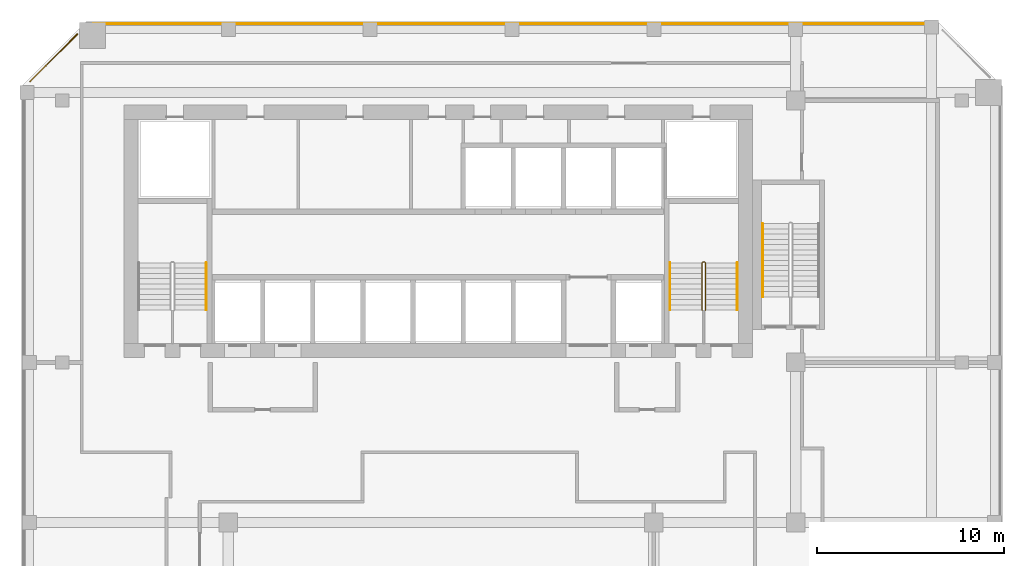
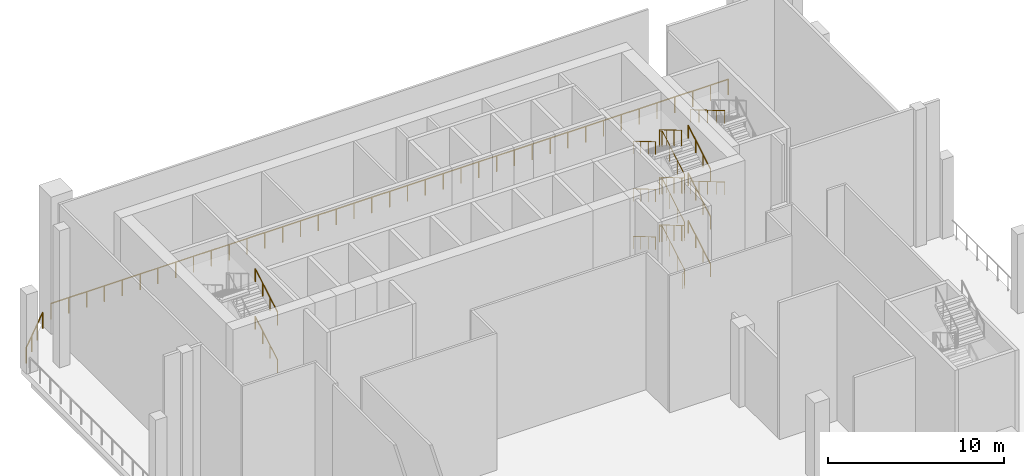
# One storey, part 11 of 12: 13 railings.
"""IFC4 building model written with IfcOpenShell, lengths in metres."""

from ifc_helpers import new_model, si_unit, direction, frame, origin, origin_2d, place, context, subcontext, project, spatial, circle, extrude, material, type_object, element, save


model = new_model("IFC4")

# Units and contexts
model_context = context("Model", 3, precision=1e-05, world=origin(), true_north=direction((0.0, 1.0)))
body_context = subcontext(model_context, "Body", "Model", "MODEL_VIEW")
ifc_project = project(units=[si_unit("LENGTHUNIT", "METRE"), si_unit("AREAUNIT", "SQUARE_METRE"), si_unit("VOLUMEUNIT", "CUBIC_METRE"), si_unit("PLANEANGLEUNIT", "RADIAN"), si_unit("MASSUNIT", "GRAM", prefix="KILO")], contexts=[model_context])

# Site, building, storey
site_placement = place(None, origin())
site = spatial("IfcSite", under=ifc_project, at=site_placement, CompositionType="ELEMENT")
building_placement = place(site_placement, origin())
building = spatial("IfcBuilding", under=site, at=building_placement, Name="Kilnfold Tower and Market Hall", CompositionType="ELEMENT")
storey_placement = place(building_placement, frame((0.0, 0.0, 223.699951171875)))
storey = spatial("IfcBuildingStorey", under=building, at=storey_placement, Name="L55 Refuge Wind Floor", CompositionType="ELEMENT", Elevation=223.699951171875)

# Railings
ifc_material_1 = material(Name="Stainless steel 316", Category="steel")
railing_type_1 = type_object("IfcRailingType", Name="CORE STAIR GUARD 1100", PredefinedType="GUARDRAIL", material=ifc_material_1)
railing_1_placement = place(storey_placement, frame((15.199951171875, 10.75, 0.0)))
element("IfcRailing", 1, at=railing_1_placement, inside=storey, type_object=railing_type_1, Name="L55 Refuge Wind Floor ST2 stair guard 1", PredefinedType="GUARDRAIL", context=body_context, shape_type="SweptSolid", body=[
    extrude(circle(Radius=0.02392578125, at=origin_2d()), frame((0.0, 0.0, 1.076171875), z_axis=(1.0, 0.0, 0.0), x_axis=(0.0, 1.0, 0.0)), (0.0, 0.0, 1.0), 0.10009765625),
    extrude(circle(Radius=0.02392578125, at=origin_2d()), frame((0.10009765625, 0.0, 1.076171875), z_axis=(0.278705021027, 0.278705021027, 0.919046801044), x_axis=(-0.707106781187, 0.707106781187, 0.0)), (0.0, 0.0, 1.0), 0.1796875),
    extrude(circle(Radius=0.02392578125, at=origin_2d()), frame((0.150146484375, 0.050048828125, 1.2412109375), z_axis=(0.0, 0.86152411907, 0.507716645641), x_axis=(-1.0, 0.0, 0.0)), (0.0, 0.0, 1.0), 2.925048828125),
    extrude(circle(Radius=0.02392578125, at=origin_2d()), frame((0.150146484375, 2.570068359375, 2.72607421875), z_axis=(-0.707106781187, 0.707106781187, 0.0), x_axis=(-0.707106781187, -0.707106781187, 0.0)), (0.0, 0.0, 1.0), 0.07080078125),
    extrude(circle(Radius=0.02392578125, at=origin_2d()), frame((0.10009765625, 2.6201171875, 2.72607421875), z_axis=(-1.0, 0.0, 0.0), x_axis=(0.0, -1.0, 0.0)), (0.0, 0.0, 1.0), 0.10009765625),
    extrude(circle(Radius=0.02392578125, at=origin_2d()), frame((0.0, 2.6201171875, 2.72607421875), z_axis=(-0.279053652268, -0.279053652268, 0.918835196492), x_axis=(0.707106781187, -0.707106781187, 0.0)), (0.0, 0.0, 1.0), 0.179443359375),
    extrude(circle(Radius=0.02392578125, at=origin_2d()), frame((-0.050048828125, 2.570068359375, 2.89111328125), z_axis=(0.0, -0.86152411907, 0.507716645641), x_axis=(1.0, 0.0, 0.0)), (0.0, 0.0, 1.0), 2.925048828125),
    extrude(circle(Radius=0.02392578125, at=origin_2d()), frame((-0.050048828125, 0.050048828125, 4.3759765625), z_axis=(0.707106781187, -0.707106781187, 0.0), x_axis=(0.707106781187, 0.707106781187, 0.0)), (0.0, 0.0, 1.0), 0.07080078125),
    extrude(circle(Radius=0.02392578125, at=origin_2d()), frame((0.0, 0.0, 4.3759765625), z_axis=(1.0, 0.0, 0.0), x_axis=(0.0, 1.0, 0.0)), (0.0, 0.0, 1.0), 0.10009765625),
    extrude(circle(Radius=0.02392578125, at=origin_2d()), frame((0.10009765625, 0.0, 4.3759765625), z_axis=(0.278705021027, 0.278705021027, 0.919046801044), x_axis=(-0.707106781187, 0.707106781187, 0.0)), (0.0, 0.0, 1.0), 0.1796875),
    extrude(circle(Radius=0.02392578125, at=origin_2d()), frame((0.150146484375, 0.050048828125, 4.541015625), z_axis=(0.0, 0.861560626758, 0.507654692109), x_axis=(-1.0, 0.0, 0.0)), (0.0, 0.0, 1.0), 2.925048828125),
    extrude(circle(Radius=0.02392578125, at=origin_2d()), frame((0.150146484375, 2.570068359375, 6.02587890625), z_axis=(-0.707106781187, 0.707106781187, 0.0), x_axis=(-0.707106781187, -0.707106781187, 0.0)), (0.0, 0.0, 1.0), 0.07080078125),
    extrude(circle(Radius=0.02392578125, at=origin_2d()), frame((0.10009765625, 2.6201171875, 6.02587890625), z_axis=(-1.0, 0.0, 0.0), x_axis=(0.0, -1.0, 0.0)), (0.0, 0.0, 1.0), 0.10009765625),
    extrude(circle(Radius=0.02392578125, at=origin_2d()), frame((0.0, 2.6201171875, 6.02587890625), z_axis=(-0.278705021027, -0.278705021027, 0.919046801044), x_axis=(0.707106781187, -0.707106781187, 0.0)), (0.0, 0.0, 1.0), 0.1796875),
    extrude(circle(Radius=0.02392578125, at=origin_2d()), frame((-0.050048828125, 2.570068359375, 6.19091796875), z_axis=(0.0, -0.86152411907, 0.507716645641), x_axis=(1.0, 0.0, 0.0)), (0.0, 0.0, 1.0), 2.925048828125),
    extrude(circle(Radius=0.02392578125, at=origin_2d()), frame((-0.050048828125, 0.050048828125, 7.67626953125), z_axis=(0.707106781187, -0.707106781187, 0.0), x_axis=(0.707106781187, 0.707106781187, 0.0)), (0.0, 0.0, 1.0), 0.07080078125),
    extrude(circle(Radius=0.02392578125, at=origin_2d()), frame((0.0, 0.0, 7.67626953125), z_axis=(1.0, 0.0, 0.0), x_axis=(0.0, 1.0, 0.0)), (0.0, 0.0, 1.0), 0.10009765625),
    extrude(circle(Radius=0.02392578125, at=origin_2d()), frame((0.10009765625, 0.0, 7.67626953125), z_axis=(0.278705021027, 0.278705021027, 0.919046801044), x_axis=(-0.707106781187, 0.707106781187, 0.0)), (0.0, 0.0, 1.0), 0.1796875),
    extrude(circle(Radius=0.02392578125, at=origin_2d()), frame((0.150146484375, 0.050048828125, 7.84130859375), z_axis=(0.0, 0.861560626758, 0.507654692109), x_axis=(-1.0, 0.0, 0.0)), (0.0, 0.0, 1.0), 2.925048828125),
    extrude(circle(Radius=0.02392578125, at=origin_2d()), frame((0.150146484375, 2.570068359375, 9.326171875), z_axis=(-0.707106781187, 0.707106781187, 0.0), x_axis=(-0.707106781187, -0.707106781187, 0.0)), (0.0, 0.0, 1.0), 0.07080078125),
    extrude(circle(Radius=0.02392578125, at=origin_2d()), frame((0.10009765625, 2.6201171875, 9.326171875), z_axis=(-1.0, 0.0, 0.0), x_axis=(0.0, -1.0, 0.0)), (0.0, 0.0, 1.0), 0.10009765625),
    extrude(circle(Radius=0.02392578125, at=origin_2d()), frame((0.0, 2.6201171875, 9.326171875), z_axis=(-0.278705021027, -0.278705021027, 0.919046801044), x_axis=(0.707106781187, -0.707106781187, 0.0)), (0.0, 0.0, 1.0), 0.1796875),
    extrude(circle(Radius=0.02392578125, at=origin_2d()), frame((-0.050048828125, 2.570068359375, 9.4912109375), z_axis=(0.0, -0.86152411907, 0.507716645641), x_axis=(1.0, 0.0, 0.0)), (0.0, 0.0, 1.0), 2.925048828125),
    extrude(circle(Radius=0.02099609375, at=origin_2d()), origin(), (0.0, 0.0, 1.0), 1.052001953125),
    extrude(circle(Radius=0.02099609375, at=origin_2d()), frame((0.10009765625, 0.0, 0.0)), (0.0, 0.0, 1.0), 1.052001953125),
    extrude(circle(Radius=0.02099609375, at=origin_2d()), frame((0.150146484375, 0.050048828125, 0.1650390625)), (0.0, 0.0, 1.0), 1.052001953125),
    extrude(circle(Radius=0.02099609375, at=origin_2d()), frame((0.150146484375, 0.89013671875, 0.66015625)), (0.0, 0.0, 1.0), 1.052001953125),
    extrude(circle(Radius=0.02099609375, at=origin_2d()), frame((0.150146484375, 1.72998046875, 1.155029296875)), (0.0, 0.0, 1.0), 1.052001953125),
    extrude(circle(Radius=0.02099609375, at=origin_2d()), frame((0.150146484375, 2.570068359375, 1.650146484375)), (0.0, 0.0, 1.0), 1.052001953125),
    extrude(circle(Radius=0.02099609375, at=origin_2d()), frame((0.10009765625, 2.6201171875, 1.650146484375)), (0.0, 0.0, 1.0), 1.052001953125),
    extrude(circle(Radius=0.02099609375, at=origin_2d()), frame((0.0, 2.6201171875, 1.650146484375)), (0.0, 0.0, 1.0), 1.052001953125),
    extrude(circle(Radius=0.02099609375, at=origin_2d()), frame((-0.050048828125, 2.570068359375, 1.81494140625)), (0.0, 0.0, 1.0), 1.052001953125),
    extrude(circle(Radius=0.02099609375, at=origin_2d()), frame((-0.050048828125, 1.72998046875, 2.31005859375)), (0.0, 0.0, 1.0), 1.052001953125),
    extrude(circle(Radius=0.02099609375, at=origin_2d()), frame((-0.050048828125, 0.89013671875, 2.804931640625)), (0.0, 0.0, 1.0), 1.052001953125),
    extrude(circle(Radius=0.02099609375, at=origin_2d()), frame((-0.050048828125, 0.050048828125, 3.300048828125)), (0.0, 0.0, 1.0), 1.052001953125),
    extrude(circle(Radius=0.02099609375, at=origin_2d()), frame((0.0, 0.0, 3.300048828125)), (0.0, 0.0, 1.0), 1.052001953125),
    extrude(circle(Radius=0.02099609375, at=origin_2d()), frame((0.10009765625, 0.0, 3.300048828125)), (0.0, 0.0, 1.0), 1.052001953125),
    extrude(circle(Radius=0.02099609375, at=origin_2d()), frame((0.150146484375, 0.050048828125, 3.465087890625)), (0.0, 0.0, 1.0), 1.052001953125),
    extrude(circle(Radius=0.02099609375, at=origin_2d()), frame((0.150146484375, 0.89013671875, 3.9599609375)), (0.0, 0.0, 1.0), 1.052001953125),
    extrude(circle(Radius=0.02099609375, at=origin_2d()), frame((0.150146484375, 1.72998046875, 4.455078125)), (0.0, 0.0, 1.0), 1.052001953125),
    extrude(circle(Radius=0.02099609375, at=origin_2d()), frame((0.150146484375, 2.570068359375, 4.949951171875)), (0.0, 0.0, 1.0), 1.052001953125),
    extrude(circle(Radius=0.02099609375, at=origin_2d()), frame((0.10009765625, 2.6201171875, 4.949951171875)), (0.0, 0.0, 1.0), 1.052001953125),
    extrude(circle(Radius=0.02099609375, at=origin_2d()), frame((0.0, 2.6201171875, 4.949951171875)), (0.0, 0.0, 1.0), 1.052001953125),
    extrude(circle(Radius=0.02099609375, at=origin_2d()), frame((-0.050048828125, 2.570068359375, 5.114990234375)), (0.0, 0.0, 1.0), 1.052001953125),
    extrude(circle(Radius=0.02099609375, at=origin_2d()), frame((-0.050048828125, 1.72998046875, 5.610107421875)), (0.0, 0.0, 1.0), 1.052001953125),
    extrude(circle(Radius=0.02099609375, at=origin_2d()), frame((-0.050048828125, 0.89013671875, 6.10498046875)), (0.0, 0.0, 1.0), 1.052001953125),
    extrude(circle(Radius=0.02099609375, at=origin_2d()), frame((-0.050048828125, 0.050048828125, 6.60009765625)), (0.0, 0.0, 1.0), 1.052001953125),
    extrude(circle(Radius=0.02099609375, at=origin_2d()), frame((0.0, 0.0, 6.60009765625)), (0.0, 0.0, 1.0), 1.052001953125),
    extrude(circle(Radius=0.02099609375, at=origin_2d()), frame((0.10009765625, 0.0, 6.60009765625)), (0.0, 0.0, 1.0), 1.052001953125),
    extrude(circle(Radius=0.02099609375, at=origin_2d()), frame((0.150146484375, 0.050048828125, 6.76513671875)), (0.0, 0.0, 1.0), 1.052001953125),
    extrude(circle(Radius=0.02099609375, at=origin_2d()), frame((0.150146484375, 0.89013671875, 7.260009765625)), (0.0, 0.0, 1.0), 1.052001953125),
    extrude(circle(Radius=0.02099609375, at=origin_2d()), frame((0.150146484375, 1.72998046875, 7.755126953125)), (0.0, 0.0, 1.0), 1.052001953125),
    extrude(circle(Radius=0.02099609375, at=origin_2d()), frame((0.150146484375, 2.570068359375, 8.25)), (0.0, 0.0, 1.0), 1.052001953125),
    extrude(circle(Radius=0.02099609375, at=origin_2d()), frame((0.10009765625, 2.6201171875, 8.25)), (0.0, 0.0, 1.0), 1.052001953125),
    extrude(circle(Radius=0.02099609375, at=origin_2d()), frame((0.0, 2.6201171875, 8.25)), (0.0, 0.0, 1.0), 1.052001953125),
    extrude(circle(Radius=0.02099609375, at=origin_2d()), frame((-0.050048828125, 2.570068359375, 8.4150390625)), (0.0, 0.0, 1.0), 1.052001953125),
    extrude(circle(Radius=0.02099609375, at=origin_2d()), frame((-0.050048828125, 1.72998046875, 8.91015625)), (0.0, 0.0, 1.0), 1.052001953125),
    extrude(circle(Radius=0.02099609375, at=origin_2d()), frame((-0.050048828125, 0.89013671875, 9.405029296875)), (0.0, 0.0, 1.0), 1.052001953125),
    extrude(circle(Radius=0.02099609375, at=origin_2d()), frame((-0.050048828125, 0.050048828125, 9.900146484375)), (0.0, 0.0, 1.0), 1.052001953125),
])
ifc_material_2 = material(Name="Stainless steel 316", Category="steel")
railing_type_2 = type_object("IfcRailingType", Name="CORE STAIR HANDRAIL 900", PredefinedType="HANDRAIL", material=ifc_material_2)
for number, where, name in (
    (2, (-11.35009765625, 10.800048828125, 3.465087890625), "L55 Refuge Wind Floor ST1 stair handrail 3"),
    (3, (-11.35009765625, 10.800048828125, 6.76513671875), "L55 Refuge Wind Floor ST1 stair handrail 5"),
):
    element("IfcRailing", number, at=place(storey_placement, frame(where)), inside=storey, type_object=railing_type_2, Name=name, PredefinedType="HANDRAIL", context=body_context, shape_type="SweptSolid", body=[
        extrude(circle(Radius=0.02392578125, at=origin_2d()), frame((0.0, 0.0, 0.8759765625), z_axis=(0.0, 0.861560626758, 0.507654692109), x_axis=(-1.0, 0.0, 0.0)), (0.0, 0.0, 1.0), 2.925048828125),
        extrude(circle(Radius=0.02099609375, at=origin_2d()), origin(), (0.0, 0.0, 1.0), 0.851806640625),
        extrude(circle(Radius=0.02099609375, at=origin_2d()), frame((0.0, 0.840087890625, 0.494873046875)), (0.0, 0.0, 1.0), 0.851806640625),
        extrude(circle(Radius=0.02099609375, at=origin_2d()), frame((0.0, 1.679931640625, 0.989990234375)), (0.0, 0.0, 1.0), 0.851806640625),
        extrude(circle(Radius=0.02099609375, at=origin_2d()), frame((0.0, 2.52001953125, 1.48486328125)), (0.0, 0.0, 1.0), 0.851806640625),
    ])
railing_2_placement = place(storey_placement, frame((17.050048828125, 10.800048828125, 0.1650390625)))
element("IfcRailing", 4, at=railing_2_placement, inside=storey, type_object=railing_type_2, Name="L55 Refuge Wind Floor ST2 stair handrail 1", PredefinedType="HANDRAIL", context=body_context, shape_type="SweptSolid", body=[
    extrude(circle(Radius=0.02392578125, at=origin_2d()), frame((0.0, 0.0, 0.8759765625), z_axis=(0.0, 0.86152411907, 0.507716645641), x_axis=(-1.0, 0.0, 0.0)), (0.0, 0.0, 1.0), 2.925048828125),
    extrude(circle(Radius=0.02099609375, at=origin_2d()), origin(), (0.0, 0.0, 1.0), 0.851806640625),
    extrude(circle(Radius=0.02099609375, at=origin_2d()), frame((0.0, 0.840087890625, 0.4951171875)), (0.0, 0.0, 1.0), 0.851806640625),
    extrude(circle(Radius=0.02099609375, at=origin_2d()), frame((0.0, 1.679931640625, 0.989990234375)), (0.0, 0.0, 1.0), 0.851806640625),
    extrude(circle(Radius=0.02099609375, at=origin_2d()), frame((0.0, 2.52001953125, 1.485107421875)), (0.0, 0.0, 1.0), 0.851806640625),
])
railing_3_placement = place(storey_placement, frame((13.449951171875, 13.320068359375, 1.81494140625)))
element("IfcRailing", 5, at=railing_3_placement, inside=storey, type_object=railing_type_2, Name="L55 Refuge Wind Floor ST2 stair handrail 2", PredefinedType="HANDRAIL", context=body_context, shape_type="SweptSolid", body=[
    extrude(circle(Radius=0.02392578125, at=origin_2d()), frame((0.0, 0.0, 0.8759765625), z_axis=(0.0, -0.86152411907, 0.507716645641), x_axis=(1.0, 0.0, 0.0)), (0.0, 0.0, 1.0), 2.925048828125),
    extrude(circle(Radius=0.02099609375, at=origin_2d()), origin(), (0.0, 0.0, 1.0), 0.851806640625),
    extrude(circle(Radius=0.02099609375, at=origin_2d()), frame((0.0, -0.840087890625, 0.4951171875)), (0.0, 0.0, 1.0), 0.851806640625),
    extrude(circle(Radius=0.02099609375, at=origin_2d()), frame((0.0, -1.679931640625, 0.989990234375)), (0.0, 0.0, 1.0), 0.851806640625),
    extrude(circle(Radius=0.02099609375, at=origin_2d()), frame((0.0, -2.52001953125, 1.485107421875)), (0.0, 0.0, 1.0), 0.851806640625),
])
railing_4_placement = place(storey_placement, frame((17.050048828125, 10.800048828125, 3.465087890625)))
element("IfcRailing", 6, at=railing_4_placement, inside=storey, type_object=railing_type_2, Name="L55 Refuge Wind Floor ST2 stair handrail 3", PredefinedType="HANDRAIL", context=body_context, shape_type="SweptSolid", body=[
    extrude(circle(Radius=0.02392578125, at=origin_2d()), frame((0.0, 0.0, 0.8759765625), z_axis=(0.0, 0.861560626758, 0.507654692109), x_axis=(-1.0, 0.0, 0.0)), (0.0, 0.0, 1.0), 2.925048828125),
    extrude(circle(Radius=0.02099609375, at=origin_2d()), origin(), (0.0, 0.0, 1.0), 0.851806640625),
    extrude(circle(Radius=0.02099609375, at=origin_2d()), frame((0.0, 0.840087890625, 0.494873046875)), (0.0, 0.0, 1.0), 0.851806640625),
    extrude(circle(Radius=0.02099609375, at=origin_2d()), frame((0.0, 1.679931640625, 0.989990234375)), (0.0, 0.0, 1.0), 0.851806640625),
    extrude(circle(Radius=0.02099609375, at=origin_2d()), frame((0.0, 2.52001953125, 1.48486328125)), (0.0, 0.0, 1.0), 0.851806640625),
])
railing_5_placement = place(storey_placement, frame((13.449951171875, 13.320068359375, 5.114990234375)))
element("IfcRailing", 7, at=railing_5_placement, inside=storey, type_object=railing_type_2, Name="L55 Refuge Wind Floor ST2 stair handrail 4", PredefinedType="HANDRAIL", context=body_context, shape_type="SweptSolid", body=[
    extrude(circle(Radius=0.02392578125, at=origin_2d()), frame((0.0, 0.0, 0.8759765625), z_axis=(0.0, -0.86152411907, 0.507716645641), x_axis=(1.0, 0.0, 0.0)), (0.0, 0.0, 1.0), 2.925048828125),
    extrude(circle(Radius=0.02099609375, at=origin_2d()), origin(), (0.0, 0.0, 1.0), 0.851806640625),
    extrude(circle(Radius=0.02099609375, at=origin_2d()), frame((0.0, -0.840087890625, 0.4951171875)), (0.0, 0.0, 1.0), 0.851806640625),
    extrude(circle(Radius=0.02099609375, at=origin_2d()), frame((0.0, -1.679931640625, 0.989990234375)), (0.0, 0.0, 1.0), 0.851806640625),
    extrude(circle(Radius=0.02099609375, at=origin_2d()), frame((0.0, -2.52001953125, 1.485107421875)), (0.0, 0.0, 1.0), 0.851806640625),
])
railing_6_placement = place(storey_placement, frame((17.050048828125, 10.800048828125, 6.76513671875)))
element("IfcRailing", 8, at=railing_6_placement, inside=storey, type_object=railing_type_2, Name="L55 Refuge Wind Floor ST2 stair handrail 5", PredefinedType="HANDRAIL", context=body_context, shape_type="SweptSolid", body=[
    extrude(circle(Radius=0.02392578125, at=origin_2d()), frame((0.0, 0.0, 0.8759765625), z_axis=(0.0, 0.861560626758, 0.507654692109), x_axis=(-1.0, 0.0, 0.0)), (0.0, 0.0, 1.0), 2.925048828125),
    extrude(circle(Radius=0.02099609375, at=origin_2d()), origin(), (0.0, 0.0, 1.0), 0.851806640625),
    extrude(circle(Radius=0.02099609375, at=origin_2d()), frame((0.0, 0.840087890625, 0.494873046875)), (0.0, 0.0, 1.0), 0.851806640625),
    extrude(circle(Radius=0.02099609375, at=origin_2d()), frame((0.0, 1.679931640625, 0.989990234375)), (0.0, 0.0, 1.0), 0.851806640625),
    extrude(circle(Radius=0.02099609375, at=origin_2d()), frame((0.0, 2.52001953125, 1.48486328125)), (0.0, 0.0, 1.0), 0.851806640625),
])
railing_7_placement = place(storey_placement, frame((13.449951171875, 13.320068359375, 8.4150390625)))
element("IfcRailing", 9, at=railing_7_placement, inside=storey, type_object=railing_type_2, Name="L55 Refuge Wind Floor ST2 stair handrail 6", PredefinedType="HANDRAIL", context=body_context, shape_type="SweptSolid", body=[
    extrude(circle(Radius=0.02392578125, at=origin_2d()), frame((0.0, 0.0, 0.8759765625), z_axis=(0.0, -0.86152411907, 0.507716645641), x_axis=(1.0, 0.0, 0.0)), (0.0, 0.0, 1.0), 2.925048828125),
    extrude(circle(Radius=0.02099609375, at=origin_2d()), origin(), (0.0, 0.0, 1.0), 0.851806640625),
    extrude(circle(Radius=0.02099609375, at=origin_2d()), frame((0.0, -0.840087890625, 0.4951171875)), (0.0, 0.0, 1.0), 0.851806640625),
    extrude(circle(Radius=0.02099609375, at=origin_2d()), frame((0.0, -1.679931640625, 0.989990234375)), (0.0, 0.0, 1.0), 0.851806640625),
    extrude(circle(Radius=0.02099609375, at=origin_2d()), frame((0.0, -2.52001953125, 1.485107421875)), (0.0, 0.0, 1.0), 0.851806640625),
])
railing_8_placement = place(storey_placement, frame((18.39990234375, 15.419921875, 2.64013671875)))
element("IfcRailing", 10, at=railing_8_placement, inside=storey, type_object=railing_type_2, Name="L55 Refuge Wind Floor ST5 stair handrail 2", PredefinedType="HANDRAIL", context=body_context, shape_type="SweptSolid", body=[
    extrude(circle(Radius=0.02392578125, at=origin_2d()), frame((0.0, 0.0, 0.8759765625), z_axis=(0.0, -0.861551872859, 0.507669548401), x_axis=(1.0, 0.0, 0.0)), (0.0, 0.0, 1.0), 4.5498046875),
    extrude(circle(Radius=0.02099609375, at=origin_2d()), origin(), (0.0, 0.0, 1.0), 0.851806640625),
    extrude(circle(Radius=0.02099609375, at=origin_2d()), frame((0.0, -0.97998046875, 0.577392578125)), (0.0, 0.0, 1.0), 0.851806640625),
    extrude(circle(Radius=0.02099609375, at=origin_2d()), frame((0.0, -1.9599609375, 1.15478515625)), (0.0, 0.0, 1.0), 0.851806640625),
    extrude(circle(Radius=0.02099609375, at=origin_2d()), frame((0.0, -2.93994140625, 1.732421875)), (0.0, 0.0, 1.0), 0.851806640625),
    extrude(circle(Radius=0.02099609375, at=origin_2d()), frame((0.0, -3.919921875, 2.309814453125)), (0.0, 0.0, 1.0), 0.851806640625),
])
railing_9_placement = place(storey_placement, frame((18.39990234375, 15.419921875, 7.590087890625)))
element("IfcRailing", 11, at=railing_9_placement, inside=storey, type_object=railing_type_2, Name="L55 Refuge Wind Floor ST5 stair handrail 4", PredefinedType="HANDRAIL", context=body_context, shape_type="SweptSolid", body=[
    extrude(circle(Radius=0.02392578125, at=origin_2d()), frame((0.0, 0.0, 0.8759765625), z_axis=(0.0, -0.861528402928, 0.507709376464), x_axis=(1.0, 0.0, 0.0)), (0.0, 0.0, 1.0), 4.550048828125),
    extrude(circle(Radius=0.02099609375, at=origin_2d()), origin(), (0.0, 0.0, 1.0), 0.851806640625),
    extrude(circle(Radius=0.02099609375, at=origin_2d()), frame((0.0, -0.97998046875, 0.57763671875)), (0.0, 0.0, 1.0), 0.851806640625),
    extrude(circle(Radius=0.02099609375, at=origin_2d()), frame((0.0, -1.9599609375, 1.155029296875)), (0.0, 0.0, 1.0), 0.851806640625),
    extrude(circle(Radius=0.02099609375, at=origin_2d()), frame((0.0, -2.93994140625, 1.732421875)), (0.0, 0.0, 1.0), 0.851806640625),
    extrude(circle(Radius=0.02099609375, at=origin_2d()), frame((0.0, -3.919921875, 2.31005859375)), (0.0, 0.0, 1.0), 0.851806640625),
])
ifc_material_3 = material(Name="Stainless steel and laminated glass", Category="steel")
railing_type_3 = type_object("IfcRailingType", Name="GUARD 1100", PredefinedType="GUARDRAIL", material=ifc_material_3)
railing_10_placement = place(storey_placement, frame((27.056884765625, 26.10009765625, 0.0)))
element("IfcRailing", 12, at=railing_10_placement, inside=storey, type_object=railing_type_3, Name="Guard edge N L55", PredefinedType="GUARDRAIL", context=body_context, shape_type="SweptSolid", body=[
    extrude(circle(Radius=0.02490234375, at=origin_2d()), frame((0.0, 0.0, 1.0751953125), z_axis=(-1.0, 0.0, 0.0), x_axis=(0.0, -1.0, 0.0)), (0.0, 0.0, 1.0), 44.431884765625),
    extrude(circle(Radius=0.02490234375, at=origin_2d()), origin(), (0.0, 0.0, 1.0), 1.050048828125),
    extrude(circle(Radius=0.02490234375, at=origin_2d()), frame((-1.169189453125, 0.0, 0.0)), (0.0, 0.0, 1.0), 1.050048828125),
    extrude(circle(Radius=0.02490234375, at=origin_2d()), frame((-2.338623046875, 0.0, 0.0)), (0.0, 0.0, 1.0), 1.050048828125),
    extrude(circle(Radius=0.02490234375, at=origin_2d()), frame((-3.5078125, 0.0, 0.0)), (0.0, 0.0, 1.0), 1.050048828125),
    extrude(circle(Radius=0.02490234375, at=origin_2d()), frame((-4.677001953125, 0.0, 0.0)), (0.0, 0.0, 1.0), 1.050048828125),
    extrude(circle(Radius=0.02490234375, at=origin_2d()), frame((-5.84619140625, 0.0, 0.0)), (0.0, 0.0, 1.0), 1.050048828125),
    extrude(circle(Radius=0.02490234375, at=origin_2d()), frame((-7.015625, 0.0, 0.0)), (0.0, 0.0, 1.0), 1.050048828125),
    extrude(circle(Radius=0.02490234375, at=origin_2d()), frame((-8.184814453125, 0.0, 0.0)), (0.0, 0.0, 1.0), 1.050048828125),
    extrude(circle(Radius=0.02490234375, at=origin_2d()), frame((-9.35400390625, 0.0, 0.0)), (0.0, 0.0, 1.0), 1.050048828125),
    extrude(circle(Radius=0.02490234375, at=origin_2d()), frame((-10.5234375, 0.0, 0.0)), (0.0, 0.0, 1.0), 1.050048828125),
    extrude(circle(Radius=0.02490234375, at=origin_2d()), frame((-11.692626953125, 0.0, 0.0)), (0.0, 0.0, 1.0), 1.050048828125),
    extrude(circle(Radius=0.02490234375, at=origin_2d()), frame((-12.86181640625, 0.0, 0.0)), (0.0, 0.0, 1.0), 1.050048828125),
    extrude(circle(Radius=0.02490234375, at=origin_2d()), frame((-14.031005859375, 0.0, 0.0)), (0.0, 0.0, 1.0), 1.050048828125),
    extrude(circle(Radius=0.02490234375, at=origin_2d()), frame((-15.200439453125, 0.0, 0.0)), (0.0, 0.0, 1.0), 1.050048828125),
    extrude(circle(Radius=0.02490234375, at=origin_2d()), frame((-16.36962890625, 0.0, 0.0)), (0.0, 0.0, 1.0), 1.050048828125),
    extrude(circle(Radius=0.02490234375, at=origin_2d()), frame((-17.538818359375, 0.0, 0.0)), (0.0, 0.0, 1.0), 1.050048828125),
    extrude(circle(Radius=0.02490234375, at=origin_2d()), frame((-18.708251953125, 0.0, 0.0)), (0.0, 0.0, 1.0), 1.050048828125),
    extrude(circle(Radius=0.02490234375, at=origin_2d()), frame((-19.87744140625, 0.0, 0.0)), (0.0, 0.0, 1.0), 1.050048828125),
    extrude(circle(Radius=0.02490234375, at=origin_2d()), frame((-21.046630859375, 0.0, 0.0)), (0.0, 0.0, 1.0), 1.050048828125),
    extrude(circle(Radius=0.02490234375, at=origin_2d()), frame((-22.2158203125, 0.0, 0.0)), (0.0, 0.0, 1.0), 1.050048828125),
    extrude(circle(Radius=0.02490234375, at=origin_2d()), frame((-23.38525390625, 0.0, 0.0)), (0.0, 0.0, 1.0), 1.050048828125),
    extrude(circle(Radius=0.02490234375, at=origin_2d()), frame((-24.554443359375, 0.0, 0.0)), (0.0, 0.0, 1.0), 1.050048828125),
    extrude(circle(Radius=0.02490234375, at=origin_2d()), frame((-25.7236328125, 0.0, 0.0)), (0.0, 0.0, 1.0), 1.050048828125),
    extrude(circle(Radius=0.02490234375, at=origin_2d()), frame((-26.89306640625, 0.0, 0.0)), (0.0, 0.0, 1.0), 1.050048828125),
    extrude(circle(Radius=0.02490234375, at=origin_2d()), frame((-28.062255859375, 0.0, 0.0)), (0.0, 0.0, 1.0), 1.050048828125),
    extrude(circle(Radius=0.02490234375, at=origin_2d()), frame((-29.2314453125, 0.0, 0.0)), (0.0, 0.0, 1.0), 1.050048828125),
    extrude(circle(Radius=0.02490234375, at=origin_2d()), frame((-30.40087890625, 0.0, 0.0)), (0.0, 0.0, 1.0), 1.050048828125),
    extrude(circle(Radius=0.02490234375, at=origin_2d()), frame((-31.570068359375, 0.0, 0.0)), (0.0, 0.0, 1.0), 1.050048828125),
    extrude(circle(Radius=0.02490234375, at=origin_2d()), frame((-32.7392578125, 0.0, 0.0)), (0.0, 0.0, 1.0), 1.050048828125),
    extrude(circle(Radius=0.02490234375, at=origin_2d()), frame((-33.908447265625, 0.0, 0.0)), (0.0, 0.0, 1.0), 1.050048828125),
    extrude(circle(Radius=0.02490234375, at=origin_2d()), frame((-35.077880859375, 0.0, 0.0)), (0.0, 0.0, 1.0), 1.050048828125),
    extrude(circle(Radius=0.02490234375, at=origin_2d()), frame((-36.2470703125, 0.0, 0.0)), (0.0, 0.0, 1.0), 1.050048828125),
    extrude(circle(Radius=0.02490234375, at=origin_2d()), frame((-37.416259765625, 0.0, 0.0)), (0.0, 0.0, 1.0), 1.050048828125),
    extrude(circle(Radius=0.02490234375, at=origin_2d()), frame((-38.585693359375, 0.0, 0.0)), (0.0, 0.0, 1.0), 1.050048828125),
    extrude(circle(Radius=0.02490234375, at=origin_2d()), frame((-39.7548828125, 0.0, 0.0)), (0.0, 0.0, 1.0), 1.050048828125),
    extrude(circle(Radius=0.02490234375, at=origin_2d()), frame((-40.924072265625, 0.0, 0.0)), (0.0, 0.0, 1.0), 1.050048828125),
    extrude(circle(Radius=0.02490234375, at=origin_2d()), frame((-42.09326171875, 0.0, 0.0)), (0.0, 0.0, 1.0), 1.050048828125),
    extrude(circle(Radius=0.02490234375, at=origin_2d()), frame((-43.2626953125, 0.0, 0.0)), (0.0, 0.0, 1.0), 1.050048828125),
    extrude(circle(Radius=0.02490234375, at=origin_2d()), frame((-44.431884765625, 0.0, 0.0)), (0.0, 0.0, 1.0), 1.050048828125),
])
railing_11_placement = place(storey_placement, frame((-18.243896484375, 25.5439453125, 0.0)))
element("IfcRailing", 13, at=railing_11_placement, inside=storey, type_object=railing_type_3, Name="Guard edge NW L55", PredefinedType="GUARDRAIL", context=body_context, shape_type="SweptSolid", body=[
    extrude(circle(Radius=0.02490234375, at=origin_2d()), frame((0.0, 0.0, 1.0751953125), z_axis=(-0.707072595841, -0.707140964879, 0.0), x_axis=(0.707140964879, -0.707072595841, 0.0)), (0.0, 0.0, 1.0), 3.571044921875),
    extrude(circle(Radius=0.02490234375, at=origin_2d()), origin(), (0.0, 0.0, 1.0), 1.050048828125),
    extrude(circle(Radius=0.02490234375, at=origin_2d()), frame((-0.841552734375, -0.841796875, 0.0)), (0.0, 0.0, 1.0), 1.050048828125),
    extrude(circle(Radius=0.02490234375, at=origin_2d()), frame((-1.683349609375, -1.683349609375, 0.0)), (0.0, 0.0, 1.0), 1.050048828125),
    extrude(circle(Radius=0.02490234375, at=origin_2d()), frame((-2.52490234375, -2.525146484375, 0.0)), (0.0, 0.0, 1.0), 1.050048828125),
])

save(model, "model.ifc")
